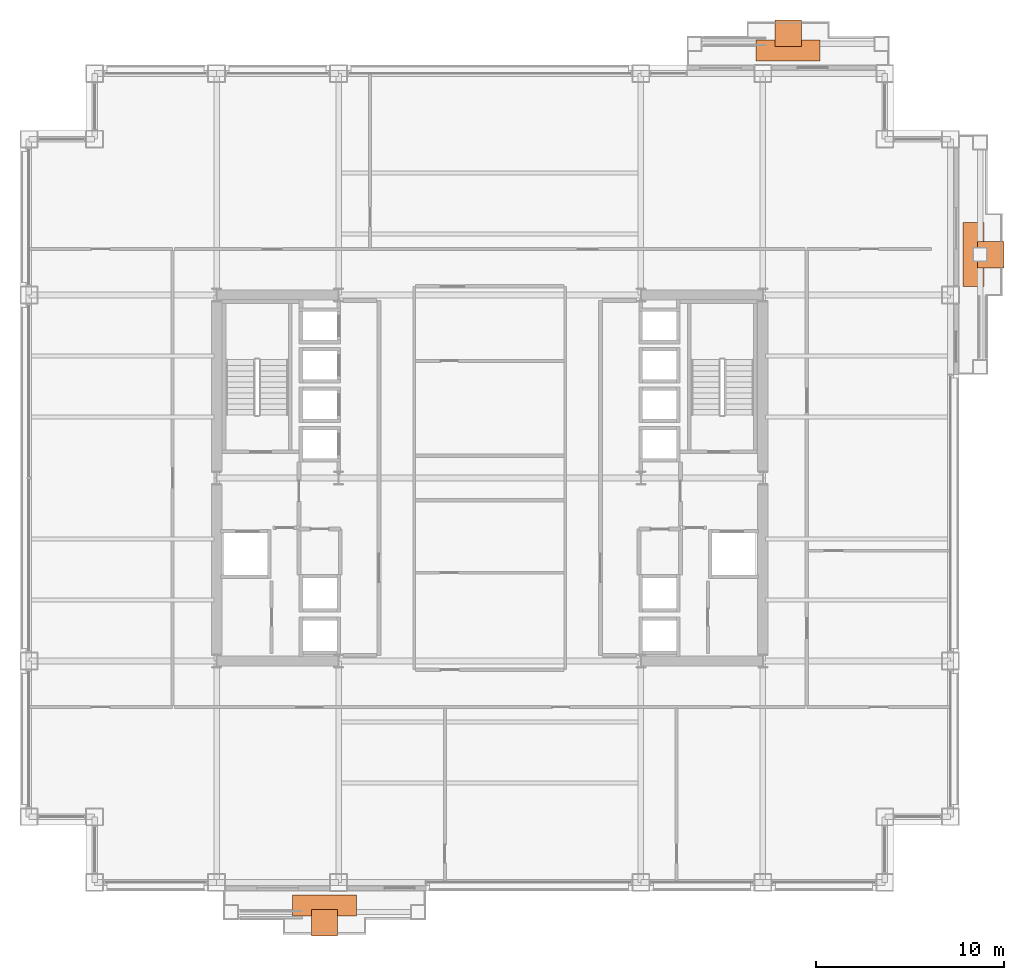
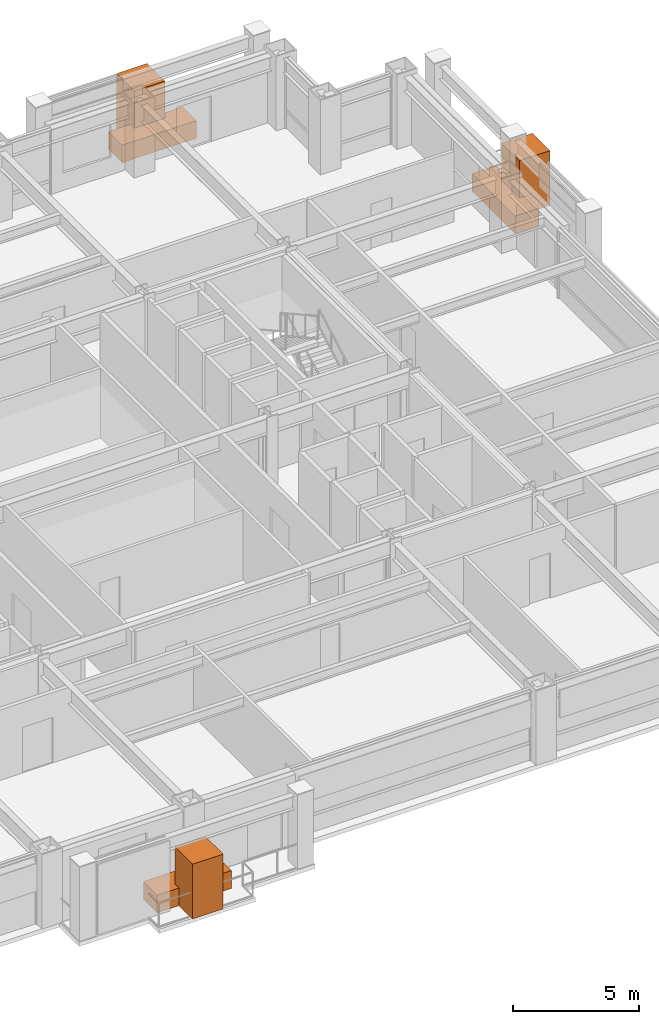
# One storey, part 31 of 31: 6 proxies.
"""IFC4 building model written with IfcOpenShell, lengths in metres."""

from ifc_helpers import new_model, si_unit, direction, frame, origin, origin_2d, place, context, subcontext, project, spatial, rectangle, extrude, material, type_object, element, save


model = new_model("IFC4")

# Units and contexts
model_context = context("Model", 3, precision=1e-05, world=origin(), true_north=direction((0.0, 1.0)))
body_context = subcontext(model_context, "Body", "Model", "MODEL_VIEW")
ifc_project = project(units=[si_unit("LENGTHUNIT", "METRE"), si_unit("AREAUNIT", "SQUARE_METRE"), si_unit("VOLUMEUNIT", "CUBIC_METRE"), si_unit("PLANEANGLEUNIT", "RADIAN"), si_unit("MASSUNIT", "GRAM", prefix="KILO")], contexts=[model_context])

# Site, building, storey
site_placement = place(None, origin())
site = spatial("IfcSite", under=ifc_project, at=site_placement, CompositionType="ELEMENT")
building_placement = place(site_placement, origin())
building = spatial("IfcBuilding", under=site, at=building_placement, Name="Brelmoor Portico Tower", CompositionType="ELEMENT")
storey_placement = place(building_placement, frame((0.0, 0.0, 27.60009765625)))
storey = spatial("IfcBuildingStorey", under=building, at=storey_placement, Name="L06", CompositionType="ELEMENT", Elevation=27.60009765625)

# Proxies
ifc_material_1 = material(Name="Planted Canopy Tree and Soil Rootball", Category="other")
building_element_proxy_type_1 = type_object("IfcBuildingElementProxyType", Name="BALCONY TREE ARBOR", PredefinedType="USERDEFINED", material=ifc_material_1)
for number, where, z_axis, x_axis, name in (
    (1, (-8.800048828125, -23.699951171875, 0.0), (0.0, 0.0, 1.0), (1.0, 0.0, 0.0), "L06 Balcony PLANTER Tree Canopy Arbor S"),
    (2, (15.89990234375, 23.699951171875, 0.0), (0.0, 0.0, 1.0), (1.0, 0.0, 0.0), "L06 Balcony PLANTER Tree Canopy Arbor N"),
    (3, (26.699951171875, 11.89990234375, 0.0), (0.0, 0.0, 1.0), (1.0, 0.0, 0.0), "L06 Balcony PLANTER Tree Canopy Arbor E"),
):
    element("IfcBuildingElementProxy", number, at=place(storey_placement, frame(where, z_axis=z_axis, x_axis=x_axis)), inside=storey, type_object=building_element_proxy_type_1, Name=name, ObjectType="PLANTER", PredefinedType="USERDEFINED", context=body_context, shape_type="SweptSolid", body=[
        extrude(rectangle(XDim=1.39990234375, YDim=1.39990234375, at=origin_2d()), origin(), (0.0, 0.0, 1.0), 2.64990234375),
    ])
ifc_material_2 = material(Name="Architectural Precast Concrete C40", Category="concrete")
building_element_proxy_type_2 = type_object("IfcBuildingElementProxyType", Name="TREE PLANTER", PredefinedType="USERDEFINED", material=ifc_material_2)
for number, where, z_axis, x_axis, name in (
    (4, (-8.800048828125, -22.77490234375, -0.000244140625), (0.0, 0.0, 1.0), (1.0, 0.0, 0.0), "L06 Planted Tree Planter S"),
    (5, (15.89990234375, 22.77490234375, -0.000244140625), (0.0, 0.0, 1.0), (1.0, 0.0, 0.0), "L06 Planted Tree Planter N"),
    (6, (25.77490234375, 11.89990234375, -0.000244140625), (0.0, 0.0, 1.0), (0.0, 1.0, 0.0), "L06 Planted Tree Planter E"),
):
    element("IfcBuildingElementProxy", number, at=place(storey_placement, frame(where, z_axis=z_axis, x_axis=x_axis)), inside=storey, type_object=building_element_proxy_type_2, Name=name, ObjectType="PLANTER", PredefinedType="USERDEFINED", context=body_context, shape_type="SweptSolid", body=[
        extrude(rectangle(XDim=3.39990234375, YDim=1.10009765625, at=origin_2d()), origin(), (0.0, 0.0, 1.0), 0.85009765625),
    ])

save(model, "model.ifc")
